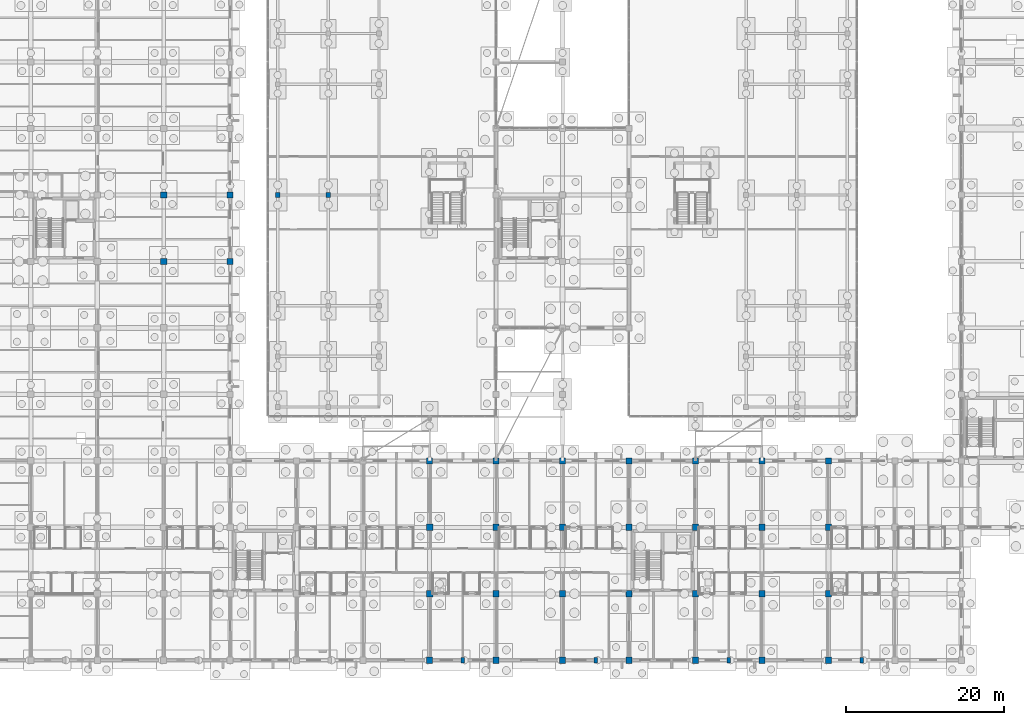
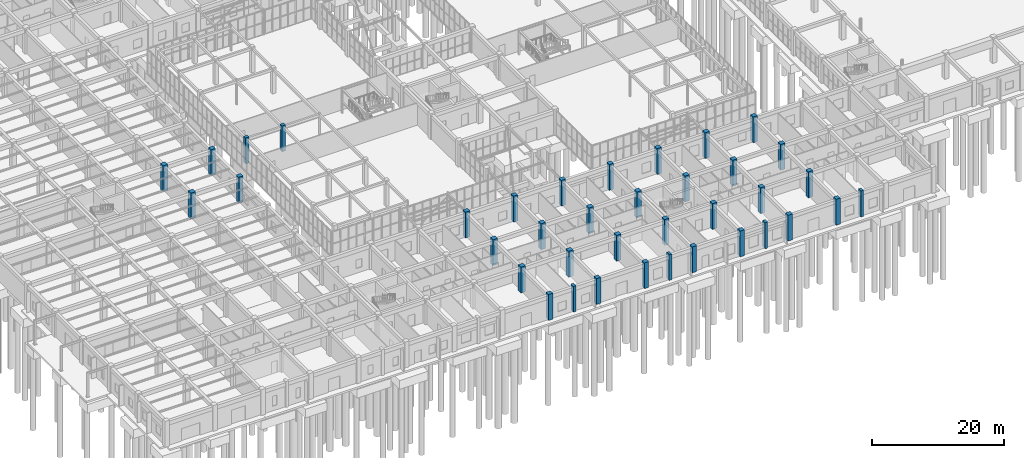
# One storey, part 23 of 192: 38 columns.
"""IFC4 building model written with IfcOpenShell, lengths in metres."""

from ifc_helpers import new_model, si_unit, direction, frame, origin, origin_2d, place, context, subcontext, project, spatial, rectangle, extrude, material, material_profile, profile_set, type_object, element, save


model = new_model("IFC4")

# Units and contexts
model_context = context("Model", 3, precision=1e-05, world=origin(), true_north=direction((0.0, 1.0)))
body_context = subcontext(model_context, "Body", "Model", "MODEL_VIEW")
ifc_project = project(units=[si_unit("LENGTHUNIT", "METRE"), si_unit("AREAUNIT", "SQUARE_METRE"), si_unit("VOLUMEUNIT", "CUBIC_METRE"), si_unit("PLANEANGLEUNIT", "RADIAN"), si_unit("MASSUNIT", "GRAM", prefix="KILO")], contexts=[model_context])

# Site, building, storey
site_placement = place(None, origin())
site = spatial("IfcSite", under=ifc_project, at=site_placement, CompositionType="ELEMENT")
building_placement = place(site_placement, origin())
building = spatial("IfcBuilding", under=site, at=building_placement, Name="Trelvath General Hospital", CompositionType="ELEMENT")
storey_placement = place(building_placement, origin())
storey = spatial("IfcBuildingStorey", under=building, at=storey_placement, Name="L00", CompositionType="ELEMENT", Elevation=0.0)

# Columns
ifc_material_1 = material(Name="Concrete C40/50", Category="concrete")
ifc_material_profile_1 = material_profile(ifc_material_1, rectangle(XDim=0.60009765625, YDim=0.60009765625, at=origin_2d()), Name="RC600x600")
ifc_profile_set_1 = profile_set([ifc_material_profile_1], Name="Concrete C40/50")
column_type_1 = type_object("IfcColumnType", Name="Column RC600", PredefinedType="COLUMN", material=ifc_profile_set_1)
for number, where, z_axis, x_axis, name in (
    (1, (48.0, 58.800048828125, 0.0), (0.0, 0.0, 1.0), (1.0, 0.0, 0.0), "Cube Interior Column CC-W25 L00"),
    (2, (54.39990234375, 58.800048828125, 0.0), (0.0, 0.0, 1.0), (1.0, 0.0, 0.0), "Cube Interior Column CC-W32 L00"),
):
    element("IfcColumn", number, at=place(storey_placement, frame(where, z_axis=z_axis, x_axis=x_axis)), inside=storey, type_object=column_type_1, Name=name, PredefinedType="COLUMN", context=body_context, shape_type="SweptSolid", body=[
        extrude(rectangle(XDim=0.60009765625, YDim=0.60009765625, at=origin_2d()), origin(), (0.0, 0.0, 1.0), 4.800048828125),
    ])
ifc_material_2 = material(Name="Concrete C40/50", Category="concrete")
ifc_material_profile_2 = material_profile(ifc_material_2, rectangle(XDim=0.760009765625, YDim=0.760009765625, at=origin_2d()), Name="RC760x760")
ifc_profile_set_2 = profile_set([ifc_material_profile_2], Name="Concrete C40/50")
column_type_2 = type_object("IfcColumnType", Name="Column RC760", PredefinedType="COLUMN", material=ifc_profile_set_2)
for number, where, z_axis, x_axis, name in (
    (3, (42.0, 50.39990234375, 0.0), (0.0, 0.0, 1.0), (1.0, 0.0, 0.0), "Column C-6G L00"),
    (4, (42.0, 58.800048828125, 0.0), (0.0, 0.0, 1.0), (1.0, 0.0, 0.0), "Column C-6H L00"),
    (5, (67.199951171875, 0.0, 0.0), (0.0, 0.0, 1.0), (1.0, 0.0, 0.0), "Column C-9A L00"),
    (6, (67.199951171875, 25.199951171875, 0.0), (0.0, 0.0, 1.0), (1.0, 0.0, 0.0), "Column C-9D L00"),
    (7, (75.60009765625, 0.0, 0.0), (0.0, 0.0, 1.0), (1.0, 0.0, 0.0), "Column C-10A L00"),
    (8, (75.60009765625, 25.199951171875, 0.0), (0.0, 0.0, 1.0), (1.0, 0.0, 0.0), "Column C-10D L00"),
    (9, (84.0, 0.0, 0.0), (0.0, 0.0, 1.0), (1.0, 0.0, 0.0), "Column C-11A L00"),
    (10, (84.0, 25.199951171875, 0.0), (0.0, 0.0, 1.0), (1.0, 0.0, 0.0), "Column C-11D L00"),
    (11, (92.39990234375, 0.0, 0.0), (0.0, 0.0, 1.0), (1.0, 0.0, 0.0), "Column C-12A L00"),
    (12, (92.39990234375, 25.199951171875, 0.0), (0.0, 0.0, 1.0), (1.0, 0.0, 0.0), "Column C-12D L00"),
    (13, (100.800048828125, 0.0, 0.0), (0.0, 0.0, 1.0), (1.0, 0.0, 0.0), "Column C-13A L00"),
    (14, (100.800048828125, 25.199951171875, 0.0), (0.0, 0.0, 1.0), (1.0, 0.0, 0.0), "Column C-13D L00"),
    (15, (109.199951171875, 0.0, 0.0), (0.0, 0.0, 1.0), (1.0, 0.0, 0.0), "Column C-14A L00"),
    (16, (109.199951171875, 25.199951171875, 0.0), (0.0, 0.0, 1.0), (1.0, 0.0, 0.0), "Column C-14D L00"),
    (17, (117.60009765625, 0.0, 0.0), (0.0, 0.0, 1.0), (1.0, 0.0, 0.0), "Column C-15A L00"),
    (18, (117.60009765625, 25.199951171875, 0.0), (0.0, 0.0, 1.0), (1.0, 0.0, 0.0), "Column C-15D L00"),
):
    element("IfcColumn", number, at=place(storey_placement, frame(where, z_axis=z_axis, x_axis=x_axis)), inside=storey, type_object=column_type_2, Name=name, PredefinedType="COLUMN", context=body_context, shape_type="SweptSolid", body=[
        extrude(rectangle(XDim=0.760009765625, YDim=0.760009765625, at=origin_2d()), origin(), (0.0, 0.0, 1.0), 4.800048828125),
    ])
ifc_material_3 = material(Name="Concrete C40/50", Category="concrete")
ifc_material_profile_3 = material_profile(ifc_material_3, rectangle(XDim=0.780029296875, YDim=0.780029296875, at=origin_2d()), Name="RC780x780")
ifc_profile_set_3 = profile_set([ifc_material_profile_3], Name="Concrete C40/50")
column_type_3 = type_object("IfcColumnType", Name="Column RC780", PredefinedType="COLUMN", material=ifc_profile_set_3)
for number, where, z_axis, x_axis, name in (
    (19, (100.800048828125, 8.39990234375, 0.0), (0.0, 0.0, 1.0), (1.0, 0.0, 0.0), "Column C-13B L00"),
    (20, (100.800048828125, 16.800048828125, 0.0), (0.0, 0.0, 1.0), (1.0, 0.0, 0.0), "Column C-13C L00"),
    (21, (109.199951171875, 8.39990234375, 0.0), (0.0, 0.0, 1.0), (1.0, 0.0, 0.0), "Column C-14B L00"),
    (22, (109.199951171875, 16.800048828125, 0.0), (0.0, 0.0, 1.0), (1.0, 0.0, 0.0), "Column C-14C L00"),
    (23, (117.60009765625, 8.39990234375, 0.0), (0.0, 0.0, 1.0), (1.0, 0.0, 0.0), "Column C-15B L00"),
    (24, (117.60009765625, 16.800048828125, 0.0), (0.0, 0.0, 1.0), (1.0, 0.0, 0.0), "Column C-15C L00"),
):
    element("IfcColumn", number, at=place(storey_placement, frame(where, z_axis=z_axis, x_axis=x_axis)), inside=storey, type_object=column_type_3, Name=name, PredefinedType="COLUMN", context=body_context, shape_type="SweptSolid", body=[
        extrude(rectangle(XDim=0.780029296875, YDim=0.780029296875, at=origin_2d()), origin(), (0.0, 0.0, 1.0), 4.800048828125),
    ])
ifc_material_4 = material(Name="Concrete C40/50", Category="concrete")
ifc_material_profile_4 = material_profile(ifc_material_4, rectangle(XDim=0.800048828125, YDim=0.800048828125, at=origin_2d()), Name="RC800x800")
ifc_profile_set_4 = profile_set([ifc_material_profile_4], Name="Concrete C40/50")
column_type_4 = type_object("IfcColumnType", Name="Column RC800", PredefinedType="COLUMN", material=ifc_profile_set_4)
for number, where, z_axis, x_axis, name in (
    (25, (33.60009765625, 50.39990234375, 0.0), (0.0, 0.0, 1.0), (1.0, 0.0, 0.0), "Column C-5G L00"),
    (26, (33.60009765625, 58.800048828125, 0.0), (0.0, 0.0, 1.0), (1.0, 0.0, 0.0), "Column C-5H L00"),
    (27, (67.199951171875, 8.39990234375, 0.0), (0.0, 0.0, 1.0), (1.0, 0.0, 0.0), "Column C-9B L00"),
    (28, (67.199951171875, 16.800048828125, 0.0), (0.0, 0.0, 1.0), (1.0, 0.0, 0.0), "Column C-9C L00"),
    (29, (75.60009765625, 8.39990234375, 0.0), (0.0, 0.0, 1.0), (1.0, 0.0, 0.0), "Column C-10B L00"),
    (30, (75.60009765625, 16.800048828125, 0.0), (0.0, 0.0, 1.0), (1.0, 0.0, 0.0), "Column C-10C L00"),
    (31, (84.0, 8.39990234375, 0.0), (0.0, 0.0, 1.0), (1.0, 0.0, 0.0), "Column C-11B L00"),
    (32, (84.0, 16.800048828125, 0.0), (0.0, 0.0, 1.0), (1.0, 0.0, 0.0), "Column C-11C L00"),
    (33, (92.39990234375, 8.39990234375, 0.0), (0.0, 0.0, 1.0), (1.0, 0.0, 0.0), "Column C-12B L00"),
    (34, (92.39990234375, 16.800048828125, 0.0), (0.0, 0.0, 1.0), (1.0, 0.0, 0.0), "Column C-12C L00"),
):
    element("IfcColumn", number, at=place(storey_placement, frame(where, z_axis=z_axis, x_axis=x_axis)), inside=storey, type_object=column_type_4, Name=name, PredefinedType="COLUMN", context=body_context, shape_type="SweptSolid", body=[
        extrude(rectangle(XDim=0.800048828125, YDim=0.800048828125, at=origin_2d()), origin(), (0.0, 0.0, 1.0), 4.800048828125),
    ])
ifc_material_5 = material(Name="Concrete C40/50", Category="concrete")
ifc_material_profile_5 = material_profile(ifc_material_5, rectangle(XDim=0.449951171875, YDim=0.75, at=origin_2d()), Name="RC450x750")
ifc_profile_set_5 = profile_set([ifc_material_profile_5], Name="Concrete C40/50")
column_type_5 = type_object("IfcColumnType", Name="Pilaster RC450x750", PredefinedType="PILASTER", material=ifc_profile_set_5)
for number, where, z_axis, x_axis, name in (
    (35, (71.39990234375, 0.0, 0.0), (0.0, 0.0, 1.0), (1.0, 0.0, 0.0), "Facade Pilaster PL-S08 L00"),
    (36, (88.199951171875, 0.0, 0.0), (0.0, 0.0, 1.0), (1.0, 0.0, 0.0), "Facade Pilaster PL-S10 L00"),
    (37, (105.0, 0.0, 0.0), (0.0, 0.0, 1.0), (1.0, 0.0, 0.0), "Facade Pilaster PL-S12 L00"),
    (38, (121.800048828125, 0.0, 0.0), (0.0, 0.0, 1.0), (1.0, 0.0, 0.0), "Facade Pilaster PL-S14 L00"),
):
    element("IfcColumn", number, at=place(storey_placement, frame(where, z_axis=z_axis, x_axis=x_axis)), inside=storey, type_object=column_type_5, Name=name, PredefinedType="PILASTER", context=body_context, shape_type="SweptSolid", body=[
        extrude(rectangle(XDim=0.449951171875, YDim=0.75, at=origin_2d()), origin(), (0.0, 0.0, 1.0), 4.800048828125),
    ])

save(model, "model.ifc")
